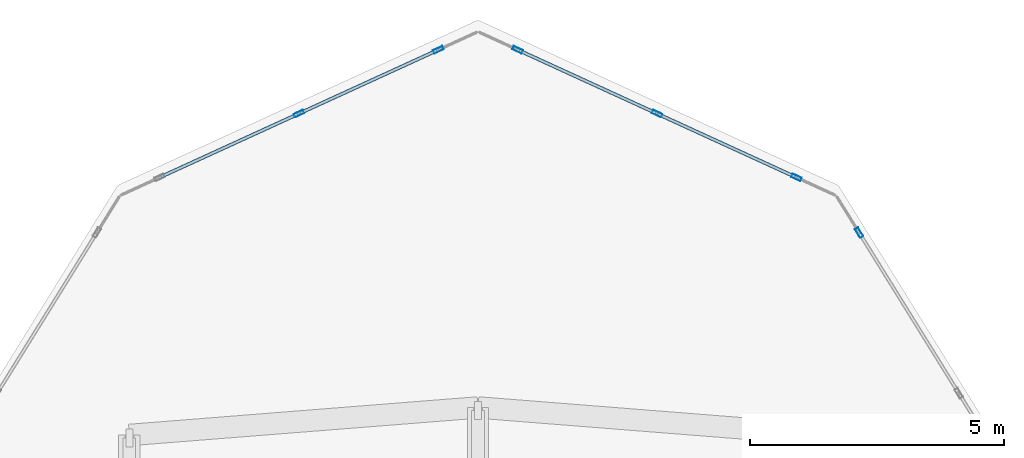
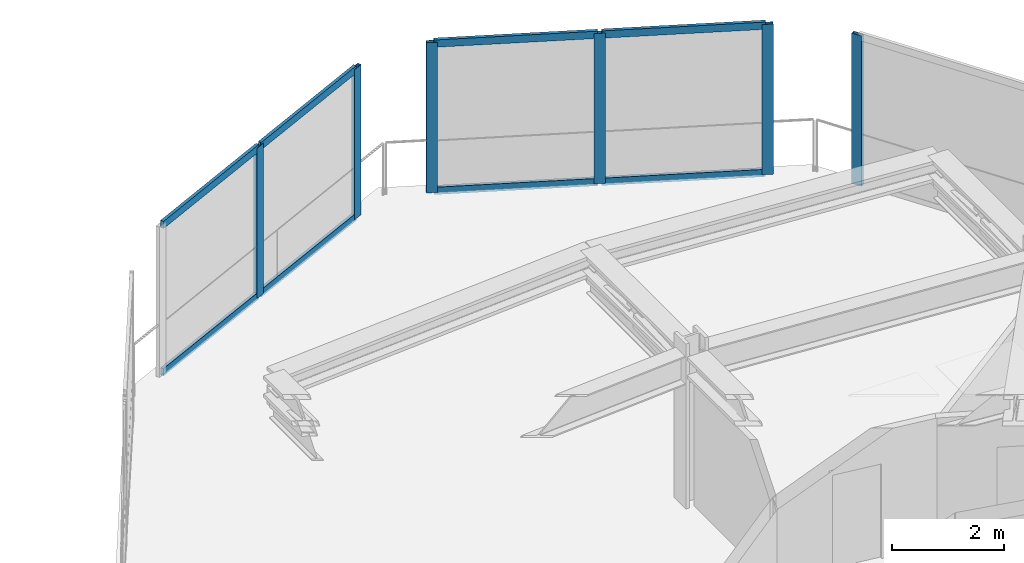
# One storey, part 15 of 24: 14 members, 3 elements without a shape of their own.
"""IFC4 building model written with IfcOpenShell, lengths in metres."""

from ifc_helpers import new_model, si_unit, direction, frame, origin, origin_2d, place, context, subcontext, project, spatial, hollow_rectangle, extrude, material, layer, layer_set, material_profile, profile_set, type_object, element, aggregate, save


model = new_model("IFC4")

# Units and contexts
model_context = context("Model", 3, precision=1e-05, world=origin(), true_north=direction((0.0, 1.0)))
body_context = subcontext(model_context, "Body", "Model", "MODEL_VIEW")
ifc_project = project(units=[si_unit("LENGTHUNIT", "METRE"), si_unit("AREAUNIT", "SQUARE_METRE"), si_unit("VOLUMEUNIT", "CUBIC_METRE"), si_unit("PLANEANGLEUNIT", "RADIAN"), si_unit("MASSUNIT", "GRAM", prefix="KILO")], contexts=[model_context])

# Site, building, storey
site_placement = place(None, origin())
site = spatial("IfcSite", under=ifc_project, at=site_placement, CompositionType="ELEMENT")
building_placement = place(site_placement, origin())
building = spatial("IfcBuilding", under=site, at=building_placement, Name="Solvane Sanctuary Tower", CompositionType="ELEMENT")
storey_placement = place(building_placement, frame((0.0, 0.0, 246.0)))
storey = spatial("IfcBuildingStorey", under=building, at=storey_placement, Name="L75", CompositionType="ELEMENT", Elevation=246.0)

# Curtain wall, member
ifc_material = material(Name="Anodised Aluminium 6063-T6", Category="aluminium")
ifc_layer = layer(ifc_material, 0.18994140625, Name="Anodised Aluminium 6063-T6")
ifc_layer_set = layer_set([ifc_layer], Name="Anodised Aluminium 6063-T6")
curtain_wall_type = type_object("IfcCurtainWallType", Name="Curtain Wall CW-OPER", PredefinedType="NOTDEFINED", material=ifc_layer_set)
curtain_wall_1_placement = place(storey_placement, origin())
curtain_wall_1 = element("IfcCurtainWall", 1, at=curtain_wall_1_placement, inside=storey, type_object=curtain_wall_type, Name="L75 CW-OPER Facade Run 04", PredefinedType="NOTDEFINED")
ifc_material_profile_1 = material_profile(ifc_material, hollow_rectangle(XDim=0.074951171875, YDim=0.199951171875, WallThickness=0.00390625, at=origin_2d()), Name="ALU200X75X4")
ifc_profile_set_1 = profile_set([ifc_material_profile_1], Name="Anodised Aluminium 6063-T6")
member_type_1 = type_object("IfcMemberType", Name="Member M-CW-MUL-1 ALU200X75X4", PredefinedType="MULLION", material=ifc_profile_set_1)
member_1_placement = place(storey_placement, frame((39.495361328125, 45.7177734375, 0.0), z_axis=(0.0, 0.0, 1.0), x_axis=(-0.849622273102, -0.527391688453, 0.0)))
member_1 = element("IfcMember", 2, at=member_1_placement, type_object=member_type_1, Name="CW-OPER mullion 3", PredefinedType="MULLION", context=body_context, shape_type="SweptSolid", body=[
    extrude(hollow_rectangle(XDim=0.074951171875, YDim=0.199951171875, WallThickness=0.00390625, at=origin_2d()), origin(), (0.0, 0.0, 1.0), 3.280029296875),
])
aggregate(curtain_wall_1, [member_1])

# Curtain wall, members
curtain_wall_2_placement = place(storey_placement, origin())
curtain_wall_2 = element("IfcCurtainWall", 3, at=curtain_wall_2_placement, inside=storey, type_object=curtain_wall_type, Name="L75 CW-OPER Facade Run 05", PredefinedType="NOTDEFINED")
member_2_placement = place(storey_placement, frame((38.26318359375, 46.80322265625, 0.0), z_axis=(0.0, 0.0, 1.0), x_axis=(-0.416224941032, -0.909261677661, 0.0)))
member_2 = element("IfcMember", 4, at=member_2_placement, type_object=member_type_1, Name="CW-OPER mullion 1", PredefinedType="MULLION", context=body_context, shape_type="SweptSolid", body=[
    extrude(hollow_rectangle(XDim=0.074951171875, YDim=0.199951171875, WallThickness=0.00390625, at=origin_2d()), origin(), (0.0, 0.0, 1.0), 3.280029296875),
])
member_3_placement = place(storey_placement, frame((35.521484375, 48.058349609375, 0.0), z_axis=(0.0, 0.0, 1.0), x_axis=(-0.416224941032, -0.909261677661, 0.0)))
member_3 = element("IfcMember", 5, at=member_3_placement, type_object=member_type_1, Name="CW-OPER mullion 2", PredefinedType="MULLION", context=body_context, shape_type="SweptSolid", body=[
    extrude(hollow_rectangle(XDim=0.074951171875, YDim=0.199951171875, WallThickness=0.00390625, at=origin_2d()), origin(), (0.0, 0.0, 1.0), 3.280029296875),
])
member_4_placement = place(storey_placement, frame((32.77978515625, 49.3134765625, 0.0), z_axis=(0.0, 0.0, 1.0), x_axis=(-0.416224941032, -0.909261677661, 0.0)))
member_4 = element("IfcMember", 6, at=member_4_placement, type_object=member_type_1, Name="CW-OPER mullion 3", PredefinedType="MULLION", context=body_context, shape_type="SweptSolid", body=[
    extrude(hollow_rectangle(XDim=0.074951171875, YDim=0.199951171875, WallThickness=0.00390625, at=origin_2d()), origin(), (0.0, 0.0, 1.0), 3.280029296875),
])

curtain_wall_3_placement = place(storey_placement, origin())
curtain_wall_3 = element("IfcCurtainWall", 7, at=curtain_wall_3_placement, inside=storey, type_object=curtain_wall_type, Name="L75 CW-OPER Facade Run 06", PredefinedType="NOTDEFINED")
member_5_placement = place(storey_placement, frame((31.22021484375, 49.3134765625, 0.0), z_axis=(0.0, 0.0, 1.0), x_axis=(0.416224941032, -0.909261677661, 0.0)))
member_5 = element("IfcMember", 8, at=member_5_placement, type_object=member_type_1, Name="CW-OPER mullion 1", PredefinedType="MULLION", context=body_context, shape_type="SweptSolid", body=[
    extrude(hollow_rectangle(XDim=0.074951171875, YDim=0.199951171875, WallThickness=0.00390625, at=origin_2d()), origin(), (0.0, 0.0, 1.0), 3.280029296875),
])
member_6_placement = place(storey_placement, frame((28.478515625, 48.058349609375, 0.0), z_axis=(0.0, 0.0, 1.0), x_axis=(0.416224941032, -0.909261677661, 0.0)))
member_6 = element("IfcMember", 9, at=member_6_placement, type_object=member_type_1, Name="CW-OPER mullion 2", PredefinedType="MULLION", context=body_context, shape_type="SweptSolid", body=[
    extrude(hollow_rectangle(XDim=0.074951171875, YDim=0.199951171875, WallThickness=0.00390625, at=origin_2d()), origin(), (0.0, 0.0, 1.0), 3.280029296875),
])

# Member
ifc_material_profile_2 = material_profile(ifc_material, hollow_rectangle(XDim=0.06494140625, YDim=0.159912109375, WallThickness=0.00341796875, at=origin_2d()), Name="ALU160X65X3.5")
ifc_profile_set_2 = profile_set([ifc_material_profile_2], Name="Anodised Aluminium 6063-T6")
member_type_2 = type_object("IfcMemberType", Name="Member M-CW-TRN-1 ALU160X65X3.5", PredefinedType="USERDEFINED", material=ifc_profile_set_2)
member_7_placement = place(storey_placement, frame((38.229248046875, 46.81884765625, 0.032470703125), z_axis=(-0.90925996833, 0.41622867512, 0.0), x_axis=(-0.41622867512, -0.90925996833, 0.0)))
member_7 = element("IfcMember", 10, at=member_7_placement, type_object=member_type_2, Name="CW-OPER transom 1.1", ObjectType="TRANSOM", PredefinedType="USERDEFINED", context=body_context, shape_type="SweptSolid", body=[
    extrude(hollow_rectangle(XDim=0.06494140625, YDim=0.159912109375, WallThickness=0.00341796875, at=origin_2d()), origin(), (0.0, 0.0, 1.0), 2.9404296875),
])

member_8_placement = place(storey_placement, frame((38.229248046875, 46.81884765625, 3.24755859375), z_axis=(-0.90925996833, 0.41622867512, 0.0), x_axis=(-0.41622867512, -0.90925996833, 0.0)))
member_8 = element("IfcMember", 11, at=member_8_placement, type_object=member_type_2, Name="CW-OPER transom 1.2", ObjectType="TRANSOM", PredefinedType="USERDEFINED", context=body_context, shape_type="SweptSolid", body=[
    extrude(hollow_rectangle(XDim=0.06494140625, YDim=0.159912109375, WallThickness=0.00341796875, at=origin_2d()), origin(), (0.0, 0.0, 1.0), 2.9404296875),
])

member_9_placement = place(storey_placement, frame((35.4873046875, 48.073974609375, 0.032470703125), z_axis=(-0.90925996833, 0.41622867512, 0.0), x_axis=(-0.41622867512, -0.90925996833, 0.0)))
member_9 = element("IfcMember", 12, at=member_9_placement, type_object=member_type_2, Name="CW-OPER transom 2.1", ObjectType="TRANSOM", PredefinedType="USERDEFINED", context=body_context, shape_type="SweptSolid", body=[
    extrude(hollow_rectangle(XDim=0.06494140625, YDim=0.159912109375, WallThickness=0.00341796875, at=origin_2d()), origin(), (0.0, 0.0, 1.0), 2.9404296875),
])

member_10_placement = place(storey_placement, frame((35.4873046875, 48.073974609375, 3.24755859375), z_axis=(-0.90925996833, 0.41622867512, 0.0), x_axis=(-0.41622867512, -0.90925996833, 0.0)))
member_10 = element("IfcMember", 13, at=member_10_placement, type_object=member_type_2, Name="CW-OPER transom 2.2", ObjectType="TRANSOM", PredefinedType="USERDEFINED", context=body_context, shape_type="SweptSolid", body=[
    extrude(hollow_rectangle(XDim=0.06494140625, YDim=0.159912109375, WallThickness=0.00341796875, at=origin_2d()), origin(), (0.0, 0.0, 1.0), 2.9404296875),
])

aggregate(curtain_wall_2, [member_2, member_3, member_4, member_7, member_8, member_9, member_10])

member_11_placement = place(storey_placement, frame((31.186279296875, 49.2978515625, 0.032470703125), z_axis=(-0.90925996833, -0.41622867512, 0.0), x_axis=(0.41622867512, -0.90925996833, 0.0)))
member_11 = element("IfcMember", 14, at=member_11_placement, type_object=member_type_2, Name="CW-OPER transom 1.1", ObjectType="TRANSOM", PredefinedType="USERDEFINED", context=body_context, shape_type="SweptSolid", body=[
    extrude(hollow_rectangle(XDim=0.06494140625, YDim=0.159912109375, WallThickness=0.00341796875, at=origin_2d()), origin(), (0.0, 0.0, 1.0), 2.9404296875),
])

member_12_placement = place(storey_placement, frame((31.186279296875, 49.2978515625, 3.24755859375), z_axis=(-0.90925996833, -0.41622867512, 0.0), x_axis=(0.41622867512, -0.90925996833, 0.0)))
member_12 = element("IfcMember", 15, at=member_12_placement, type_object=member_type_2, Name="CW-OPER transom 1.2", ObjectType="TRANSOM", PredefinedType="USERDEFINED", context=body_context, shape_type="SweptSolid", body=[
    extrude(hollow_rectangle(XDim=0.06494140625, YDim=0.159912109375, WallThickness=0.00341796875, at=origin_2d()), origin(), (0.0, 0.0, 1.0), 2.9404296875),
])

member_13_placement = place(storey_placement, frame((28.4443359375, 48.042724609375, 0.032470703125), z_axis=(-0.90925996833, -0.41622867512, 0.0), x_axis=(0.41622867512, -0.90925996833, 0.0)))
member_13 = element("IfcMember", 16, at=member_13_placement, type_object=member_type_2, Name="CW-OPER transom 2.1", ObjectType="TRANSOM", PredefinedType="USERDEFINED", context=body_context, shape_type="SweptSolid", body=[
    extrude(hollow_rectangle(XDim=0.06494140625, YDim=0.159912109375, WallThickness=0.00341796875, at=origin_2d()), origin(), (0.0, 0.0, 1.0), 2.9404296875),
])

member_14_placement = place(storey_placement, frame((28.4443359375, 48.042724609375, 3.24755859375), z_axis=(-0.90925996833, -0.41622867512, 0.0), x_axis=(0.41622867512, -0.90925996833, 0.0)))
member_14 = element("IfcMember", 17, at=member_14_placement, type_object=member_type_2, Name="CW-OPER transom 2.2", ObjectType="TRANSOM", PredefinedType="USERDEFINED", context=body_context, shape_type="SweptSolid", body=[
    extrude(hollow_rectangle(XDim=0.06494140625, YDim=0.159912109375, WallThickness=0.00341796875, at=origin_2d()), origin(), (0.0, 0.0, 1.0), 2.9404296875),
])

aggregate(curtain_wall_3, [member_5, member_6, member_11, member_12, member_13, member_14])

save(model, "model.ifc")
